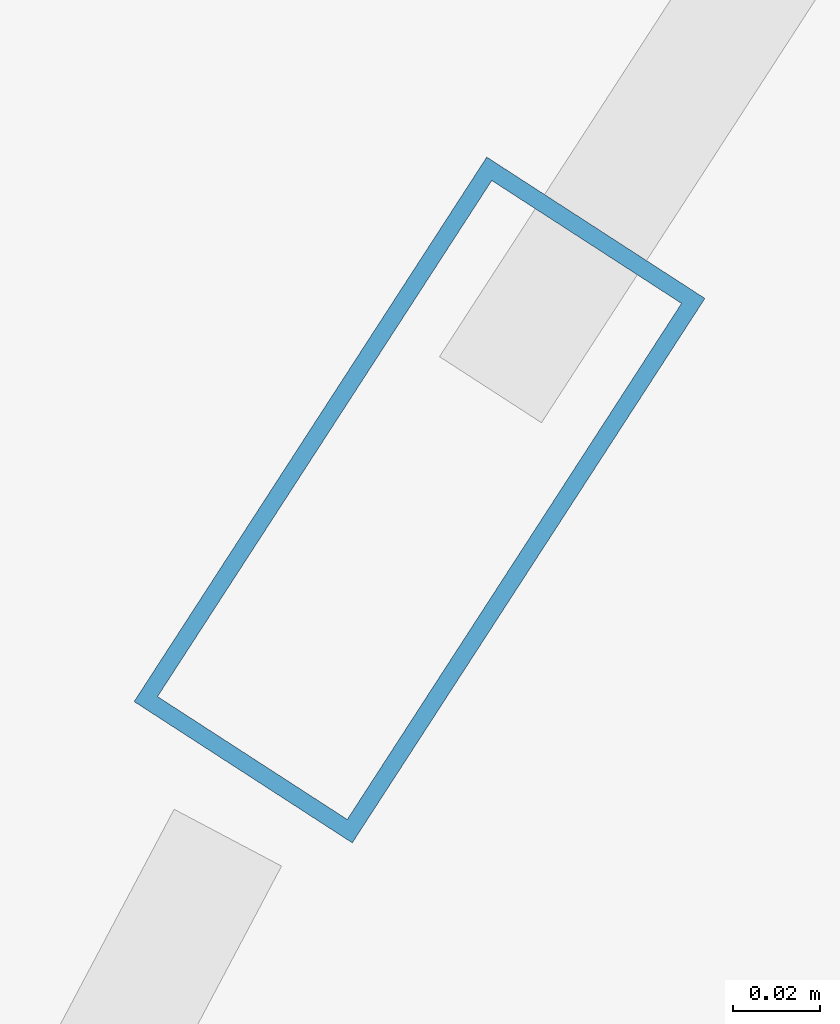
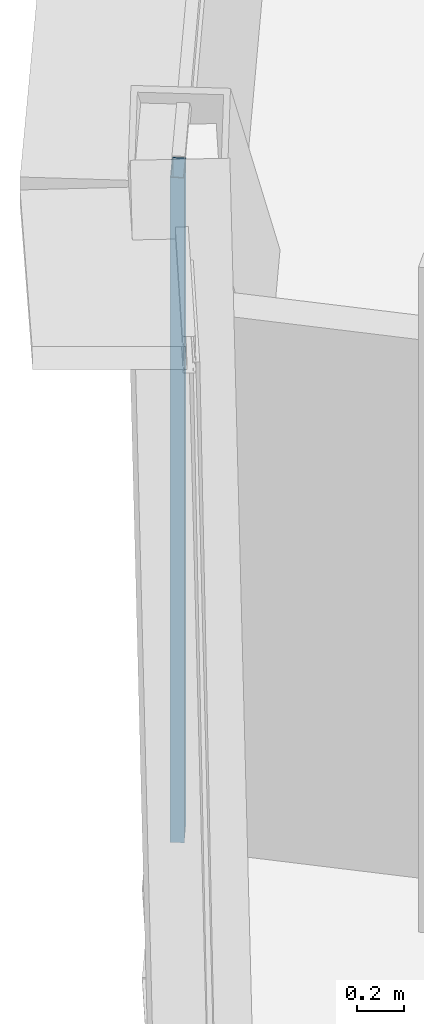
# One storey, part 16 of 39: 1 member, 1 element without a shape of its own.
"""IFC4 building model written with IfcOpenShell, lengths in metres."""

import ifcopenshell
import ifcopenshell.guid

model = None  # the IFC model being written
_history = None  # IfcOwnerHistory: only IFC2X3 demands one
_inside = {}  # id of a spatial element -> (the spatial element, [elements in it])
_under = {}  # id of a project, library or spatial element -> (it, [spatial elements below it])
_declared = {}  # id of a project -> (the project, [libraries it declares])
_typed = {}  # id of a type object -> (the type object, [elements of that type])
_made_of = {}  # id of a material, layer set ... -> (it, [elements and type objects made of it])


def new_model(schema):
    """Start an empty IFC model of exactly this schema.

    Asked for "IFC4X3", IfcOpenShell would pick the latest addendum, in which some entities
    have other attributes; the version numbers below select the first issue.
    IFC2X3 requires an IfcOwnerHistory on every rooted entity: one is made here for all.
    """
    global model, _history
    if schema == "IFC4X3":
        model = ifcopenshell.file(schema_version=(4, 3, 0, 0))
    else:
        model = ifcopenshell.file(schema=schema)
    _inside.clear()
    _under.clear()
    _declared.clear()
    _typed.clear()
    _made_of.clear()
    _history = None
    if model.schema == "IFC2X3":
        org = make("IfcOrganization", Name="unknown")
        user = make(
            "IfcPersonAndOrganization",
            ThePerson=make("IfcPerson", FamilyName="unknown"),
            TheOrganization=org,
        )
        app = make(
            "IfcApplication",
            ApplicationDeveloper=org,
            Version="unknown",
            ApplicationFullName="unknown",
            ApplicationIdentifier="unknown",
        )
        _history = make(
            "IfcOwnerHistory",
            OwningUser=user,
            OwningApplication=app,
            ChangeAction="ADDED",
            CreationDate=0,
        )
    return model


def make(cls, **values):
    """One entity of the class cls with the attributes given. An attribute that is None is left unset."""
    return model.create_entity(
        cls, **{name: value for name, value in values.items() if value is not None}
    )


def rooted(cls, **values):
    """An entity with a GlobalId (a new one), such as an element, a storey or a relation."""
    return make(cls, GlobalId=ifcopenshell.guid.new(), OwnerHistory=_history, **values)


def si_unit(unit_type, name, prefix=None):
    """IfcSIUnit, for example si_unit("LENGTHUNIT", "METRE", prefix="MILLI")."""
    return make("IfcSIUnit", UnitType=unit_type, Prefix=prefix, Name=name)


def assignment(units):
    """IfcUnitAssignment: the units of a project."""
    return None if units is None else make("IfcUnitAssignment", Units=units)


def point(xyz):
    """IfcCartesianPoint."""
    return None if xyz is None else make("IfcCartesianPoint", Coordinates=xyz)


def direction(xyz):
    """IfcDirection."""
    return None if xyz is None else make("IfcDirection", DirectionRatios=xyz)


def frame(location, z_axis=None, x_axis=None):
    """IfcAxis2Placement3D, a coordinate frame: its origin and axes. An axis left out is left unset."""
    return make(
        "IfcAxis2Placement3D",
        Location=point(location),
        Axis=direction(z_axis),
        RefDirection=direction(x_axis),
    )


def frame_2d(location, x_axis=None):
    """IfcAxis2Placement2D, a coordinate frame in the plane: its origin and x axis."""
    return make(
        "IfcAxis2Placement2D", Location=point(location), RefDirection=direction(x_axis)
    )


def origin():
    """The frame at (0, 0, 0) with its axes left unset."""
    return frame((0.0, 0.0, 0.0))


def origin_2d():
    """The frame at (0, 0) in the plane with its x axis left unset."""
    return frame_2d((0.0, 0.0))


def place(relative_to, where):
    """IfcLocalPlacement: puts the frame where relative to a parent placement (None: the world)."""
    return make(
        "IfcLocalPlacement", PlacementRelTo=relative_to, RelativePlacement=where
    )


def context(
    kind, dimensions, precision=None, world=None, true_north=None, identifier=None
):
    """IfcGeometricRepresentationContext, for example the 3D "Model" context."""
    return make(
        "IfcGeometricRepresentationContext",
        ContextIdentifier=identifier,
        ContextType=kind,
        CoordinateSpaceDimension=dimensions,
        Precision=precision,
        WorldCoordinateSystem=world,
        TrueNorth=true_north,
    )


def subcontext(parent, identifier, kind, view, scale=None):
    """IfcGeometricRepresentationSubContext, for example "Body" below "Model"."""
    return make(
        "IfcGeometricRepresentationSubContext",
        ContextIdentifier=identifier,
        ContextType=kind,
        ParentContext=parent,
        TargetScale=scale,
        TargetView=view,
    )


def project(units=None, contexts=None):
    """IfcProject with its units and contexts."""
    return rooted(
        "IfcProject",
        Name="project",
        RepresentationContexts=contexts,
        UnitsInContext=assignment(units),
    )


def spatial(cls, under=None, at=None, **own):
    """A site, building, storey or space (cls), placed at a placement, below another one or the project."""
    s = rooted(cls, ObjectPlacement=at, **own)
    if under is not None:
        _under.setdefault(under.id(), (under, []))[1].append(s)
    return s


def profile(cls, at=None, kind="AREA", **sizes):
    """A parametric profile (cls). Its sizes go by their IFC names, for example OverallWidth=200.0."""
    return make(cls, ProfileType=kind, Position=at, **sizes)


def hollow_rectangle(**sizes):
    """IfcRectangleHollowProfileDef."""
    return profile("IfcRectangleHollowProfileDef", **sizes)


def extrude(swept, where, along, depth):
    """IfcExtrudedAreaSolid: the profile swept, set in the frame where, extruded along a direction by depth."""
    return make(
        "IfcExtrudedAreaSolid",
        SweptArea=swept,
        Position=where,
        ExtrudedDirection=direction(along),
        Depth=depth,
    )


def shape(context_of_items, identifier, shape_type, items):
    """IfcShapeRepresentation: the items that make up one representation, for example the "Body"."""
    return make(
        "IfcShapeRepresentation",
        ContextOfItems=context_of_items,
        RepresentationIdentifier=identifier,
        RepresentationType=shape_type,
        Items=items,
    )


def source(mapping_origin, context_of_items, identifier, shape_type, items):
    """IfcRepresentationMap: a shape defined once, which mapped items show again and again."""
    return make(
        "IfcRepresentationMap",
        MappingOrigin=mapping_origin,
        MappedRepresentation=shape(context_of_items, identifier, shape_type, items),
    )


def transform(
    local_origin,
    x_axis=None,
    y_axis=None,
    z_axis=None,
    scale=None,
    scale2=None,
    scale3=None,
    uniform=True,
):
    """IfcCartesianTransformationOperator3D, or its non-uniform kind. x_axis, y_axis, z_axis: its Axis1, 2, 3."""
    if uniform:
        return make(
            "IfcCartesianTransformationOperator3D",
            Axis1=direction(x_axis),
            Axis2=direction(y_axis),
            LocalOrigin=point(local_origin),
            Scale=scale,
            Axis3=direction(z_axis),
        )
    return make(
        "IfcCartesianTransformationOperator3DnonUniform",
        Axis1=direction(x_axis),
        Axis2=direction(y_axis),
        LocalOrigin=point(local_origin),
        Scale=scale,
        Axis3=direction(z_axis),
        Scale2=scale2,
        Scale3=scale3,
    )


def mapped(mapping_source, mapping_target):
    """IfcMappedItem: shows the shape of a source again, moved by a transform."""
    return make(
        "IfcMappedItem", MappingSource=mapping_source, MappingTarget=mapping_target
    )


def material(Name=None, Category=None):
    """IfcMaterial."""
    return make("IfcMaterial", Name=Name, Category=Category)


def layer(
    of_material, thickness, ventilated=None, Name=None, Category=None, Priority=None
):
    """IfcMaterialLayer: one layer of a wall or slab, of a material (None: an air gap)."""
    return make(
        "IfcMaterialLayer",
        Material=of_material,
        LayerThickness=thickness,
        IsVentilated=ventilated,
        Name=Name,
        Category=Category,
        Priority=Priority,
    )


def layer_set(layers, Name=None):
    """IfcMaterialLayerSet."""
    return make("IfcMaterialLayerSet", MaterialLayers=layers, LayerSetName=Name)


def material_profile(
    of_material, cross_section, Name=None, Category=None, Priority=None
):
    """IfcMaterialProfile: a cross section and its material."""
    return make(
        "IfcMaterialProfile",
        Name=Name,
        Material=of_material,
        Profile=cross_section,
        Priority=Priority,
        Category=Category,
    )


def profile_set(profiles, Name=None, composite=None):
    """IfcMaterialProfileSet."""
    return make(
        "IfcMaterialProfileSet",
        Name=Name,
        MaterialProfiles=profiles,
        CompositeProfile=composite,
    )


def made_of(thing, what):
    """Note that an element or type object is made of a material, layer set ...; save() writes the relation."""
    if what is not None:
        _made_of.setdefault(what.id(), (what, []))[1].append(thing)
    return thing


def type_object(cls, material=None, **own):
    """A type object (cls), such as IfcWallType, which elements share."""
    return made_of(rooted(cls, **own), material)


def element(
    cls,
    number,
    at=None,
    inside=None,
    cuts=None,
    type_object=None,
    material=None,
    context=None,
    identifier="Body",
    shape_type=None,
    held_by="IfcProductDefinitionShape",
    body=None,
    shapes=None,
    **own,
):
    """One element of the class cls, such as IfcWall. Its Tag is "e" and its number.

    at: its placement. inside: the storey or other place that contains it. cuts: it is an
    opening in that element (IfcRelVoidsElement). A single representation is given by context,
    identifier, shape_type and body (its items); several are given by shapes. held_by: the class
    of the entity that holds the representations. save() writes the other relations.
    """
    e = rooted(cls, Tag="e%d" % number, ObjectPlacement=at, **own)
    if body is not None:
        shapes = [shape(context, identifier, shape_type, body)]
    if shapes is not None:
        e.Representation = make(held_by, Representations=shapes)
    if inside is not None:
        _inside.setdefault(inside.id(), (inside, []))[1].append(e)
    if cuts is not None:
        rooted(
            "IfcRelVoidsElement", RelatingBuildingElement=cuts, RelatedOpeningElement=e
        )
    if type_object is not None:
        _typed.setdefault(type_object.id(), (type_object, []))[1].append(e)
    return made_of(e, material)


def aggregate(whole, parts):
    """IfcRelAggregates: a whole, such as a stair, and the parts it consists of."""
    return rooted("IfcRelAggregates", RelatingObject=whole, RelatedObjects=parts)


def save(model, path):
    """Write the relations noted so far, then the file.

    IfcRelAggregates (storeys below a building ...), IfcRelContainedInSpatialStructure (elements
    in a storey), IfcRelDefinesByType, IfcRelAssociatesMaterial and IfcRelDeclares: one each for
    every whole, place, type object, material and project.
    """
    for whole, parts in _under.values():
        aggregate(whole, parts)
    for where, things in _inside.values():
        rooted(
            "IfcRelContainedInSpatialStructure",
            RelatedElements=things,
            RelatingStructure=where,
        )
    for kind, things in _typed.values():
        rooted("IfcRelDefinesByType", RelatedObjects=things, RelatingType=kind)
    for what, things in _made_of.values():
        rooted("IfcRelAssociatesMaterial", RelatedObjects=things, RelatingMaterial=what)
    for by, libraries in _declared.values():
        rooted("IfcRelDeclares", RelatingContext=by, RelatedDefinitions=libraries)
    model.write(path)


model = new_model("IFC4")

# Units and contexts
model_context = context("Model", 3, precision=1e-05, world=origin(), true_north=direction((0.0, 1.0)))
body_context = subcontext(model_context, "Body", "Model", "MODEL_VIEW")
ifc_project = project(units=[si_unit("LENGTHUNIT", "METRE"), si_unit("AREAUNIT", "SQUARE_METRE"), si_unit("VOLUMEUNIT", "CUBIC_METRE"), si_unit("PLANEANGLEUNIT", "RADIAN"), si_unit("MASSUNIT", "GRAM", prefix="KILO"), si_unit("THERMODYNAMICTEMPERATUREUNIT", "KELVIN"), si_unit("POWERUNIT", "WATT")], contexts=[model_context])

# Site, building, storey
site_placement = place(None, origin())
site = spatial("IfcSite", under=ifc_project, at=site_placement, CompositionType="ELEMENT")
building_placement = place(site_placement, origin())
building = spatial("IfcBuilding", under=site, at=building_placement, Name="Yunzhuo Pagoda Commons", CompositionType="ELEMENT")
storey_placement = place(building_placement, frame((0.0, 0.0, 140.8701171875)))
storey = spatial("IfcBuildingStorey", under=building, at=storey_placement, Name="L35", CompositionType="ELEMENT", Elevation=140.8701171875)

# Curtain wall, member
ifc_material = material(Name="Anodized aluminium 6063-T6", Category="aluminium")
ifc_layer = layer(ifc_material, 0.14990234375)
ifc_layer_set = layer_set([ifc_layer], Name="Anodized aluminium 6063-T6")
curtain_wall_type = type_object("IfcCurtainWallType", Name="CW-MID Mid-Zone Ribbon Curtain Wall", PredefinedType="NOTDEFINED", material=ifc_layer_set)
curtain_wall_placement = place(storey_placement, origin())
curtain_wall = element("IfcCurtainWall", 1, at=curtain_wall_placement, inside=storey, type_object=curtain_wall_type, Name="L35 curtain wall CW-L35-F3B2", PredefinedType="NOTDEFINED")
ifc_material_profile = material_profile(ifc_material, hollow_rectangle(XDim=0.06005859375, YDim=0.14990234375, WallThickness=0.00390625, at=origin_2d()), Name="Anodized aluminium 6063-T6")
ifc_profile_set = profile_set([ifc_material_profile], Name="Anodized aluminium 6063-T6")
member_type = type_object("IfcMemberType", Name="CW-MID-M Mullion RHS 150x60x4", PredefinedType="MULLION", material=ifc_profile_set)
shared_shape = source(origin(), body_context, "Body", "SweptSolid", [
    extrude(hollow_rectangle(XDim=0.06005859375, YDim=0.14990234375, WallThickness=0.00390625, at=origin_2d()), origin(), (0.0, 0.0, 1.0), 3.419921875),
])
member_placement = place(storey_placement, frame((23.051513671875, 56.203369140625, 0.0), z_axis=(0.0, 0.0, 1.0), x_axis=(0.839320281383, -0.543637255216, 0.0)))
member = element("IfcMember", 2, at=member_placement, type_object=member_type, Name="CW mullion 2", PredefinedType="MULLION", context=body_context, shape_type="MappedRepresentation", body=[
    mapped(shared_shape, transform((0.0, 0.0, 0.0), scale=1.0)),
])
aggregate(curtain_wall, [member])

save(model, "model.ifc")
